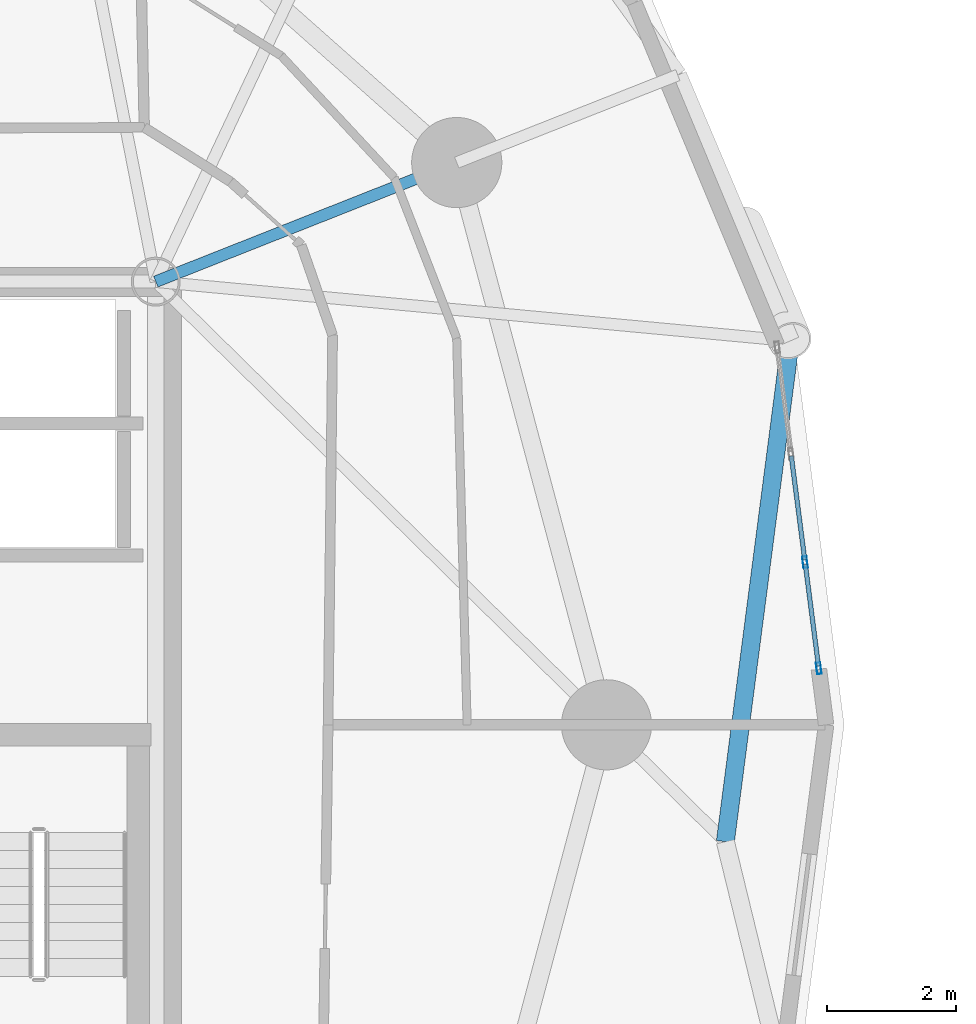
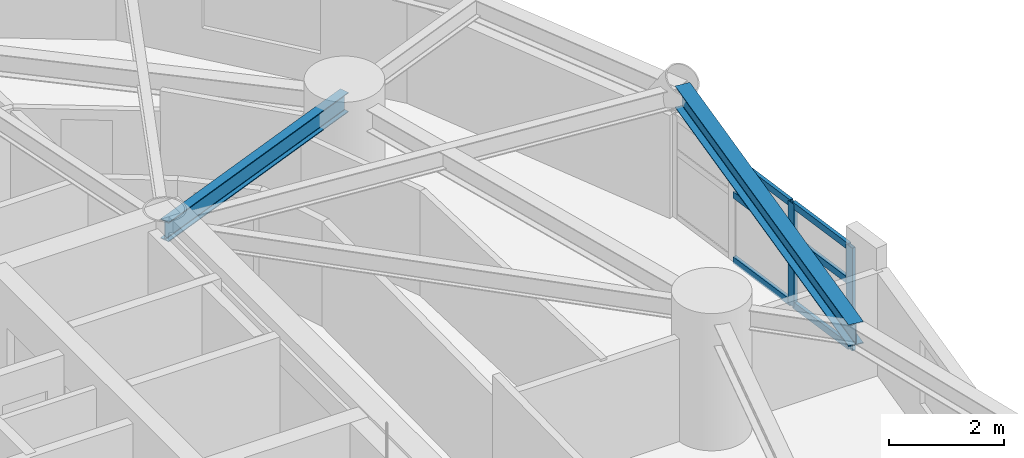
# One storey, part 2 of 17: 8 members, 2 beams, 1 element without a shape of its own.
"""IFC4 building model written with IfcOpenShell, lengths in metres."""

from ifc_helpers import new_model, si_unit, direction, frame, origin, origin_2d, place, context, subcontext, project, spatial, hollow_rectangle, i_section, extrude, material, layer, layer_set, material_profile, profile_set, type_object, element, aggregate, save


model = new_model("IFC4")

# Units and contexts
model_context = context("Model", 3, precision=1e-05, world=origin(), true_north=direction((0.0, 1.0)))
body_context = subcontext(model_context, "Body", "Model", "MODEL_VIEW")
ifc_project = project(units=[si_unit("LENGTHUNIT", "METRE"), si_unit("AREAUNIT", "SQUARE_METRE"), si_unit("VOLUMEUNIT", "CUBIC_METRE"), si_unit("PLANEANGLEUNIT", "RADIAN"), si_unit("MASSUNIT", "GRAM", prefix="KILO")], contexts=[model_context])

# Site, building, storey
site_placement = place(None, origin())
site = spatial("IfcSite", under=ifc_project, at=site_placement, CompositionType="ELEMENT")
building_placement = place(site_placement, origin())
building = spatial("IfcBuilding", under=site, at=building_placement, Name="Cununo Teusaquillo Station Towers", CompositionType="ELEMENT")
storey_placement = place(building_placement, frame((0.0, 0.0, 90.52001953125)))
storey = spatial("IfcBuildingStorey", under=building, at=storey_placement, Name="L28", CompositionType="ELEMENT", Elevation=90.52001953125)

# Beams
ifc_material_1 = material(Name="Steel ASTM A572 Grade 50", Category="steel")
ifc_material_profile_1 = material_profile(ifc_material_1, i_section(OverallWidth=0.180908203125, OverallDepth=0.4169921875, WebThickness=0.010986328125, FlangeThickness=0.018310546875, FilletRadius=0.012939453125, at=origin_2d()), Name="W16X57")
ifc_profile_set_1 = profile_set([ifc_material_profile_1], Name="Steel ASTM A572 Grade 50")
beam_type_1 = type_object("IfcBeamType", Name="BM-RAD-G2", PredefinedType="BEAM", material=ifc_profile_set_1)
beam_1_placement = place(storey_placement, frame((21.675048828125, 31.3798828125, 2.46142578125), z_axis=(0.929864104313, 0.367903176814, 0.0), x_axis=(-0.367903176814, 0.929864104313, 0.0)))
element("IfcBeam", 1, at=beam_1_placement, inside=storey, type_object=beam_type_1, Name="L28 Tower A Radial Girder 02A", PredefinedType="BEAM", context=body_context, shape_type="SweptSolid", body=[
    extrude(i_section(OverallWidth=0.180908203125, OverallDepth=0.4169921875, WebThickness=0.010986328125, FlangeThickness=0.018310546875, FilletRadius=0.012939453125, at=origin_2d()), origin(), (0.0, 0.0, 1.0), 5.02490234375),
])
ifc_material_2 = material(Name="Steel ASTM A572 Grade 50", Category="steel")
ifc_material_profile_2 = material_profile(ifc_material_2, i_section(OverallWidth=0.280029296875, OverallDepth=0.462890625, WebThickness=0.0107421875, FlangeThickness=0.017333984375, FilletRadius=0.013916015625, at=origin_2d()), Name="W18X76")
ifc_profile_set_2 = profile_set([ifc_material_profile_2], Name="Steel ASTM A572 Grade 50")
beam_type_2 = type_object("IfcBeamType", Name="BM-RING-Z2", PredefinedType="SPANDREL", material=ifc_profile_set_2)
beam_2_placement = place(storey_placement, frame((30.51708984375, 22.685791015625, 2.4384765625), z_axis=(0.12888124113, 0.991660035337, 0.0), x_axis=(-0.991660035337, 0.12888124113, 0.0)))
element("IfcBeam", 2, at=beam_2_placement, inside=storey, type_object=beam_type_2, Name="L28 Tower A Spandrel Ring Beam 01", PredefinedType="SPANDREL", context=body_context, shape_type="SweptSolid", body=[
    extrude(i_section(OverallWidth=0.280029296875, OverallDepth=0.462890625, WebThickness=0.0107421875, FlangeThickness=0.017333984375, FilletRadius=0.013916015625, at=origin_2d()), origin(), (0.0, 0.0, 1.0), 7.840576171875),
])

# Curtain wall, members
ifc_material_3 = material(Name="Ceramic-fritted dark low-E double glazing", Category="glass")
ifc_layer = layer(ifc_material_3, 0.179931640625)
ifc_layer_set = layer_set([ifc_layer], Name="Ceramic-fritted dark low-E double glazing")
curtain_wall_type = type_object("IfcCurtainWallType", Name="CW-SYS-04", PredefinedType="USERDEFINED", material=ifc_layer_set)
curtain_wall_placement = place(storey_placement, origin())
curtain_wall = element("IfcCurtainWall", 3, at=curtain_wall_placement, inside=storey, type_object=curtain_wall_type, Name="L28 Tower A Facade Curtain Wall C00", ObjectType="FRITTED GLAZING", PredefinedType="USERDEFINED")
ifc_material_4 = material(Name="Anodised dark bronze aluminium EN AW-6063-T6", Category="aluminium")
ifc_material_profile_3 = material_profile(ifc_material_4, hollow_rectangle(XDim=0.070068359375, YDim=0.179931640625, WallThickness=0.00390625, at=origin_2d()), Name="CW-MULL-70x180")
ifc_profile_set_3 = profile_set([ifc_material_profile_3], Name="Anodised dark bronze aluminium EN AW-6063-T6")
member_type_1 = type_object("IfcMemberType", Name="CWM-180", PredefinedType="MULLION", material=ifc_profile_set_3)
member_1_placement = place(storey_placement, frame((31.754150390625, 27.0263671875, 0.0), z_axis=(0.0, 0.0, 1.0), x_axis=(0.991730764367, 0.128335852387, 0.0)))
member_1 = element("IfcMember", 4, at=member_1_placement, type_object=member_type_1, Name="CW-04 mullion 3", PredefinedType="MULLION", context=body_context, shape_type="SweptSolid", body=[
    extrude(hollow_rectangle(XDim=0.070068359375, YDim=0.179931640625, WallThickness=0.00390625, at=origin_2d()), origin(), (0.0, 0.0, 1.0), 2.178955078125),
])
member_2_placement = place(storey_placement, frame((31.967529296875, 25.377685546875, 0.0), z_axis=(0.0, 0.0, 1.0), x_axis=(0.991730764367, 0.128335852387, 0.0)))
member_2 = element("IfcMember", 5, at=member_2_placement, type_object=member_type_1, Name="CW-04 mullion 4", PredefinedType="MULLION", context=body_context, shape_type="SweptSolid", body=[
    extrude(hollow_rectangle(XDim=0.070068359375, YDim=0.179931640625, WallThickness=0.00390625, at=origin_2d()), origin(), (0.0, 0.0, 1.0), 2.178955078125),
])
ifc_material_5 = material(Name="Anodised dark bronze aluminium EN AW-6063-T6", Category="aluminium")
ifc_material_profile_4 = material_profile(ifc_material_5, hollow_rectangle(XDim=0.070068359375, YDim=0.139892578125, WallThickness=0.00390625, at=origin_2d()), Name="CW-TRAN-70x140")
ifc_profile_set_4 = profile_set([ifc_material_profile_4], Name="Anodised dark bronze aluminium EN AW-6063-T6")
member_type_2 = type_object("IfcMemberType", Name="CWT-140", PredefinedType="USERDEFINED", material=ifc_profile_set_4)
member_3_placement = place(storey_placement, frame((31.540771484375, 28.675048828125, 0.034912109375), z_axis=(0.128261686134, -0.991740359101, 0.0), x_axis=(0.991740359101, 0.128261686134, 0.0)))
member_3 = element("IfcMember", 6, at=member_3_placement, type_object=member_type_2, Name="CW-04 transom 2.1", ObjectType="TRANSOM", PredefinedType="USERDEFINED", context=body_context, shape_type="SweptSolid", body=[
    extrude(hollow_rectangle(XDim=0.070068359375, YDim=0.139892578125, WallThickness=0.00390625, at=origin_2d()), origin(), (0.0, 0.0, 1.0), 1.62744140625),
])
member_4_placement = place(storey_placement, frame((31.540771484375, 28.675048828125, 1.416015625), z_axis=(0.128261686134, -0.991740359101, 0.0), x_axis=(0.991740359101, 0.128261686134, 0.0)))
member_4 = element("IfcMember", 7, at=member_4_placement, type_object=member_type_2, Name="CW-04 transom 2.2", ObjectType="TRANSOM", PredefinedType="USERDEFINED", context=body_context, shape_type="SweptSolid", body=[
    extrude(hollow_rectangle(XDim=0.070068359375, YDim=0.139892578125, WallThickness=0.00390625, at=origin_2d()), origin(), (0.0, 0.0, 1.0), 1.62744140625),
])
member_5_placement = place(storey_placement, frame((31.540771484375, 28.675048828125, 2.14404296875), z_axis=(0.128261686134, -0.991740359101, 0.0), x_axis=(0.991740359101, 0.128261686134, 0.0)))
member_5 = element("IfcMember", 8, at=member_5_placement, type_object=member_type_2, Name="CW-04 transom 2.3", ObjectType="TRANSOM", PredefinedType="USERDEFINED", context=body_context, shape_type="SweptSolid", body=[
    extrude(hollow_rectangle(XDim=0.070068359375, YDim=0.139892578125, WallThickness=0.00390625, at=origin_2d()), origin(), (0.0, 0.0, 1.0), 1.62744140625),
])
member_6_placement = place(storey_placement, frame((31.758544921875, 26.99169921875, 0.034912109375), z_axis=(0.128316698748, -0.991733242774, 0.0), x_axis=(0.991733242774, 0.128316698748, 0.0)))
member_6 = element("IfcMember", 9, at=member_6_placement, type_object=member_type_2, Name="CW-04 transom 3.1", ObjectType="TRANSOM", PredefinedType="USERDEFINED", context=body_context, shape_type="SweptSolid", body=[
    extrude(hollow_rectangle(XDim=0.070068359375, YDim=0.139892578125, WallThickness=0.00390625, at=origin_2d()), origin(), (0.0, 0.0, 1.0), 1.592529296875),
])
member_7_placement = place(storey_placement, frame((31.758544921875, 26.99169921875, 1.416015625), z_axis=(0.128316698748, -0.991733242774, 0.0), x_axis=(0.991733242774, 0.128316698748, 0.0)))
member_7 = element("IfcMember", 10, at=member_7_placement, type_object=member_type_2, Name="CW-04 transom 3.2", ObjectType="TRANSOM", PredefinedType="USERDEFINED", context=body_context, shape_type="SweptSolid", body=[
    extrude(hollow_rectangle(XDim=0.070068359375, YDim=0.139892578125, WallThickness=0.00390625, at=origin_2d()), origin(), (0.0, 0.0, 1.0), 1.592529296875),
])
member_8_placement = place(storey_placement, frame((31.758544921875, 26.99169921875, 2.14404296875), z_axis=(0.128316698748, -0.991733242774, 0.0), x_axis=(0.991733242774, 0.128316698748, 0.0)))
member_8 = element("IfcMember", 11, at=member_8_placement, type_object=member_type_2, Name="CW-04 transom 3.3", ObjectType="TRANSOM", PredefinedType="USERDEFINED", context=body_context, shape_type="SweptSolid", body=[
    extrude(hollow_rectangle(XDim=0.070068359375, YDim=0.139892578125, WallThickness=0.00390625, at=origin_2d()), origin(), (0.0, 0.0, 1.0), 1.592529296875),
])
aggregate(curtain_wall, [member_1, member_2, member_3, member_4, member_5, member_6, member_7, member_8])

save(model, "model.ifc")
